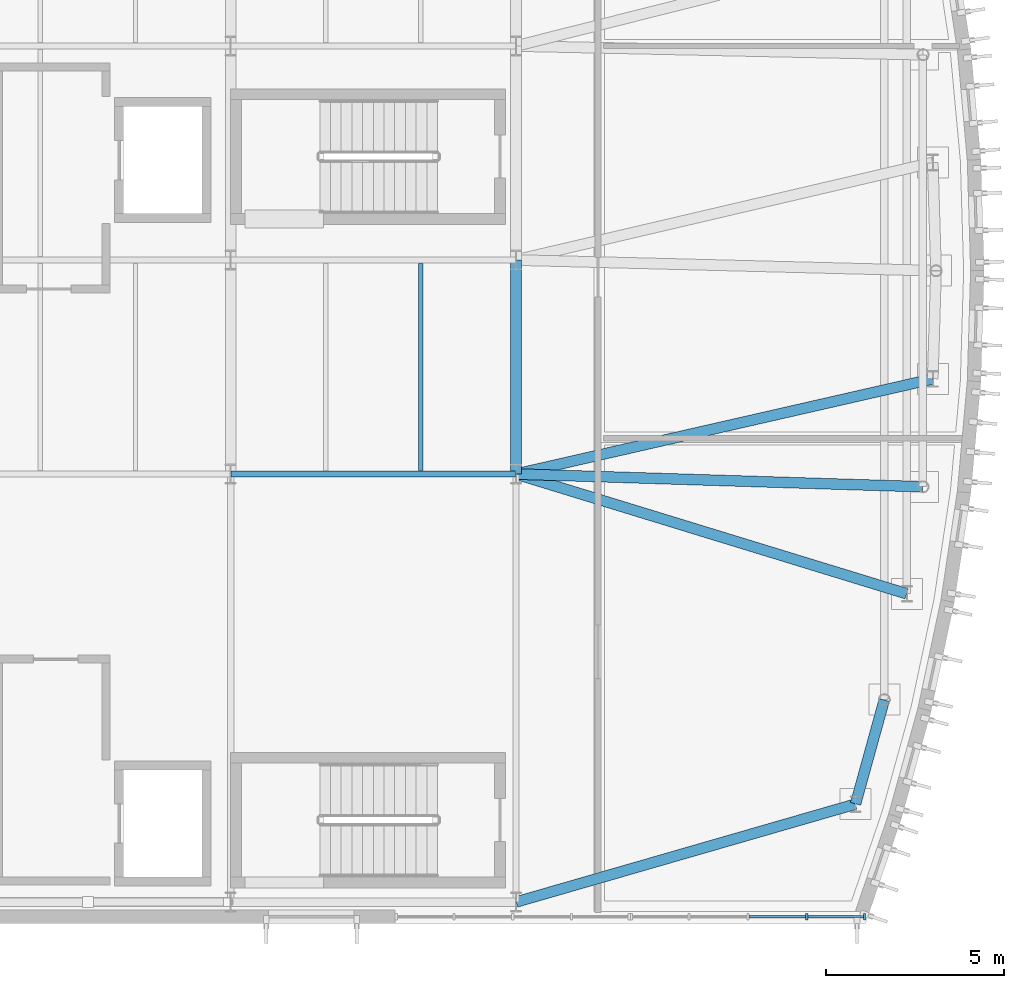
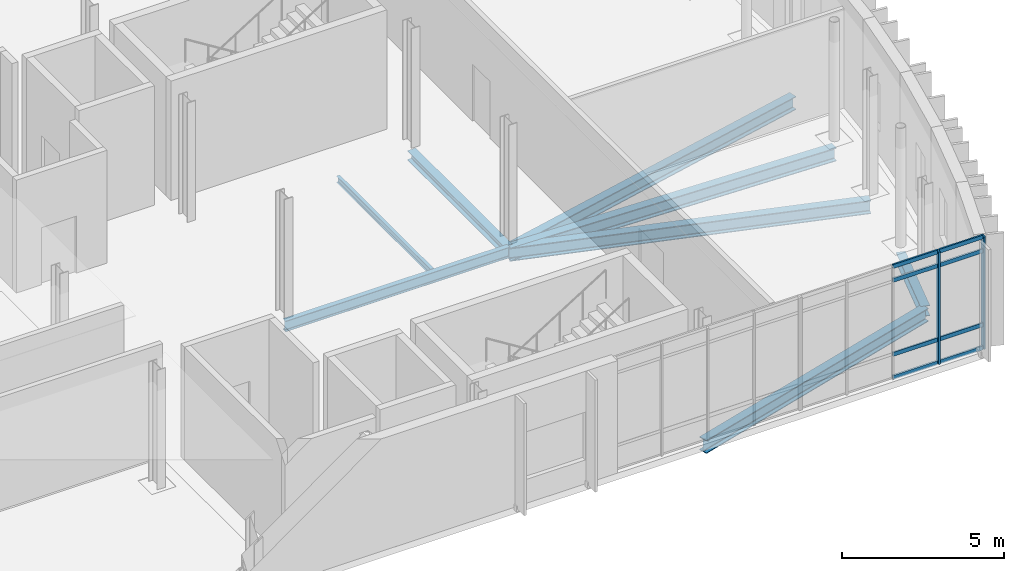
# One storey, part 39 of 86: 10 members, 8 beams, 1 element without a shape of its own.
"""IFC4 building model written with IfcOpenShell, lengths in metres."""

from ifc_helpers import new_model, si_unit, direction, frame, origin, origin_2d, place, context, subcontext, project, spatial, rectangle, i_section, extrude, material, material_profile, profile_set, type_object, element, aggregate, save


model = new_model("IFC4")

# Units and contexts
model_context = context("Model", 3, precision=1e-05, world=origin(), true_north=direction((0.0, 1.0)))
body_context = subcontext(model_context, "Body", "Model", "MODEL_VIEW")
ifc_project = project(units=[si_unit("LENGTHUNIT", "METRE"), si_unit("AREAUNIT", "SQUARE_METRE"), si_unit("VOLUMEUNIT", "CUBIC_METRE"), si_unit("PLANEANGLEUNIT", "RADIAN"), si_unit("MASSUNIT", "GRAM", prefix="KILO")], contexts=[model_context])

# Site, building, storey
site_placement = place(None, origin())
site = spatial("IfcSite", under=ifc_project, at=site_placement, CompositionType="ELEMENT")
building_placement = place(site_placement, origin())
building = spatial("IfcBuilding", under=site, at=building_placement, Name="Cymarion Research Institute", CompositionType="ELEMENT")
storey_placement = place(building_placement, frame((0.0, 0.0, 13.800048828125)))
storey = spatial("IfcBuildingStorey", under=building, at=storey_placement, Name="L03", CompositionType="ELEMENT", Elevation=13.800048828125)

# Curtain wall, members
ifc_material_1 = material(Name="Anodised aluminium unitised curtain wall with Low-E glazing", Category="aluminium")
curtain_wall_type = type_object("IfcCurtainWallType", Name="UNITISED CURTAIN WALL CW26 6590X4240", PredefinedType="NOTDEFINED", material=ifc_material_1)
curtain_wall_placement = place(storey_placement, origin())
curtain_wall = element("IfcCurtainWall", 1, at=curtain_wall_placement, inside=storey, type_object=curtain_wall_type, Name="L03 V1 unitised curtain wall CW26 #125", PredefinedType="NOTDEFINED")
ifc_material_2 = material(Name="Anodised aluminium framing", Category="aluminium")
ifc_material_profile_1 = material_profile(ifc_material_2, rectangle(XDim=0.06005859375, YDim=0.179931640625, at=origin_2d()), Name="ALU MULLION 60x180")
ifc_profile_set_1 = profile_set([ifc_material_profile_1], Name="Anodised aluminium framing")
member_type_1 = type_object("IfcMemberType", Name="CURTAIN WALL MULLION ML01 60X180", PredefinedType="MULLION", material=ifc_profile_set_1)
member_1_placement = place(storey_placement, frame((162.751708984375, 5.090087890625, 0.0), z_axis=(0.0, 0.0, 1.0), x_axis=(1.0, 0.0, 0.0)))
member_1 = element("IfcMember", 2, at=member_1_placement, type_object=member_type_1, Name="CW26 mullion 4", PredefinedType="MULLION", context=body_context, shape_type="SweptSolid", body=[
    extrude(rectangle(XDim=0.06005859375, YDim=0.179931640625, at=origin_2d()), origin(), (0.0, 0.0, 1.0), 4.239990234375),
])
member_2_placement = place(storey_placement, frame((164.3701171875, 5.090087890625, 0.0), z_axis=(0.0, 0.0, 1.0), x_axis=(1.0, 0.0, 0.0)))
member_2 = element("IfcMember", 3, at=member_2_placement, type_object=member_type_1, Name="CW26 mullion 5", PredefinedType="MULLION", context=body_context, shape_type="SweptSolid", body=[
    extrude(rectangle(XDim=0.06005859375, YDim=0.179931640625, at=origin_2d()), origin(), (0.0, 0.0, 1.0), 4.239990234375),
])
ifc_material_profile_2 = material_profile(ifc_material_2, rectangle(XDim=0.06005859375, YDim=0.14990234375, at=origin_2d()), Name="ALU TRANSOM 60x150")
ifc_profile_set_2 = profile_set([ifc_material_profile_2], Name="Anodised aluminium framing")
member_type_2 = type_object("IfcMemberType", Name="CURTAIN WALL TRANSOM TR01 60X150", PredefinedType="USERDEFINED", material=ifc_profile_set_2)
member_3_placement = place(storey_placement, frame((161.133544921875, 5.090087890625, 0.030029296875), z_axis=(1.0, 0.0, 0.0), x_axis=(0.0, 1.0, 0.0)))
member_3 = element("IfcMember", 4, at=member_3_placement, type_object=member_type_2, Name="CW26 transom 3.1", ObjectType="TRANSOM", PredefinedType="USERDEFINED", context=body_context, shape_type="SweptSolid", body=[
    extrude(rectangle(XDim=0.06005859375, YDim=0.14990234375, at=origin_2d()), origin(), (0.0, 0.0, 1.0), 1.588134765625),
])
member_4_placement = place(storey_placement, frame((161.133544921875, 5.090087890625, 0.89990234375), z_axis=(1.0, 0.0, 0.0), x_axis=(0.0, 1.0, 0.0)))
member_4 = element("IfcMember", 5, at=member_4_placement, type_object=member_type_2, Name="CW26 transom 3.2", ObjectType="TRANSOM", PredefinedType="USERDEFINED", context=body_context, shape_type="SweptSolid", body=[
    extrude(rectangle(XDim=0.06005859375, YDim=0.14990234375, at=origin_2d()), origin(), (0.0, 0.0, 1.0), 1.588134765625),
])
member_5_placement = place(storey_placement, frame((161.133544921875, 5.090087890625, 3.68994140625), z_axis=(1.0, 0.0, 0.0), x_axis=(0.0, 1.0, 0.0)))
member_5 = element("IfcMember", 6, at=member_5_placement, type_object=member_type_2, Name="CW26 transom 3.3", ObjectType="TRANSOM", PredefinedType="USERDEFINED", context=body_context, shape_type="SweptSolid", body=[
    extrude(rectangle(XDim=0.06005859375, YDim=0.14990234375, at=origin_2d()), origin(), (0.0, 0.0, 1.0), 1.588134765625),
])
member_6_placement = place(storey_placement, frame((161.133544921875, 5.090087890625, 4.2099609375), z_axis=(1.0, 0.0, 0.0), x_axis=(0.0, 1.0, 0.0)))
member_6 = element("IfcMember", 7, at=member_6_placement, type_object=member_type_2, Name="CW26 transom 3.4", ObjectType="TRANSOM", PredefinedType="USERDEFINED", context=body_context, shape_type="SweptSolid", body=[
    extrude(rectangle(XDim=0.06005859375, YDim=0.14990234375, at=origin_2d()), origin(), (0.0, 0.0, 1.0), 1.588134765625),
])
member_7_placement = place(storey_placement, frame((162.78173828125, 5.090087890625, 0.030029296875), z_axis=(1.0, 0.0, 0.0), x_axis=(0.0, 1.0, 0.0)))
member_7 = element("IfcMember", 8, at=member_7_placement, type_object=member_type_2, Name="CW26 transom 4.1", ObjectType="TRANSOM", PredefinedType="USERDEFINED", context=body_context, shape_type="SweptSolid", body=[
    extrude(rectangle(XDim=0.06005859375, YDim=0.14990234375, at=origin_2d()), origin(), (0.0, 0.0, 1.0), 1.558349609375),
])
member_8_placement = place(storey_placement, frame((162.78173828125, 5.090087890625, 0.89990234375), z_axis=(1.0, 0.0, 0.0), x_axis=(0.0, 1.0, 0.0)))
member_8 = element("IfcMember", 9, at=member_8_placement, type_object=member_type_2, Name="CW26 transom 4.2", ObjectType="TRANSOM", PredefinedType="USERDEFINED", context=body_context, shape_type="SweptSolid", body=[
    extrude(rectangle(XDim=0.06005859375, YDim=0.14990234375, at=origin_2d()), origin(), (0.0, 0.0, 1.0), 1.558349609375),
])
member_9_placement = place(storey_placement, frame((162.78173828125, 5.090087890625, 3.68994140625), z_axis=(1.0, 0.0, 0.0), x_axis=(0.0, 1.0, 0.0)))
member_9 = element("IfcMember", 10, at=member_9_placement, type_object=member_type_2, Name="CW26 transom 4.3", ObjectType="TRANSOM", PredefinedType="USERDEFINED", context=body_context, shape_type="SweptSolid", body=[
    extrude(rectangle(XDim=0.06005859375, YDim=0.14990234375, at=origin_2d()), origin(), (0.0, 0.0, 1.0), 1.558349609375),
])
member_10_placement = place(storey_placement, frame((162.78173828125, 5.090087890625, 4.2099609375), z_axis=(1.0, 0.0, 0.0), x_axis=(0.0, 1.0, 0.0)))
member_10 = element("IfcMember", 11, at=member_10_placement, type_object=member_type_2, Name="CW26 transom 4.4", ObjectType="TRANSOM", PredefinedType="USERDEFINED", context=body_context, shape_type="SweptSolid", body=[
    extrude(rectangle(XDim=0.06005859375, YDim=0.14990234375, at=origin_2d()), origin(), (0.0, 0.0, 1.0), 1.558349609375),
])
aggregate(curtain_wall, [member_1, member_2, member_3, member_4, member_5, member_6, member_7, member_8, member_9, member_10])

# Beams
ifc_material_3 = material(Name="Steel S355", Category="steel")
ifc_material_profile_3 = material_profile(ifc_material_3, i_section(OverallWidth=0.179931640625, OverallDepth=0.39990234375, WebThickness=0.008544921875, FlangeThickness=0.013427734375, FilletRadius=0.02099609375, at=origin_2d()), Name="IPE 400")
ifc_profile_set_3 = profile_set([ifc_material_profile_3], Name="Steel S355")
beam_type_1 = type_object("IfcBeamType", Name="PRIMARY GIRDER BM05 IPE 400", PredefinedType="BEAM", material=ifc_profile_set_3)
beam_1_placement = place(storey_placement, frame((146.60595703125, 17.5, -0.449951171875), z_axis=(1.0, 0.0, 0.0), x_axis=(0.0, 1.0, 0.0)))
element("IfcBeam", 12, at=beam_1_placement, inside=storey, type_object=beam_type_1, Name="L03 V1 girder BM05 #1183", PredefinedType="BEAM", context=body_context, shape_type="SweptSolid", body=[
    extrude(i_section(OverallWidth=0.179931640625, OverallDepth=0.39990234375, WebThickness=0.008544921875, FlangeThickness=0.013427734375, FilletRadius=0.02099609375, at=origin_2d()), origin(), (0.0, 0.0, 1.0), 7.988037109375),
])
ifc_material_profile_4 = material_profile(ifc_material_3, i_section(OverallWidth=0.300048828125, OverallDepth=0.5, WebThickness=0.014404296875, FlangeThickness=0.028076171875, FilletRadius=0.027099609375, at=origin_2d()), Name="HEB 500")
ifc_profile_set_4 = profile_set([ifc_material_profile_4], Name="Steel S355")
beam_type_2 = type_object("IfcBeamType", Name="PRIMARY GIRDER BM09 HEB 500", PredefinedType="BEAM", material=ifc_profile_set_4)
beam_2_placement = place(storey_placement, frame((154.607666015625, 5.502197265625, -0.5), z_axis=(0.960790340878, 0.277275893067, 0.0), x_axis=(-0.277275893067, 0.960790340878, 0.0)))
element("IfcBeam", 13, at=beam_2_placement, inside=storey, type_object=beam_type_2, Name="L03 V1 radial prow girder BM09 #1231", PredefinedType="BEAM", context=body_context, shape_type="SweptSolid", body=[
    extrude(i_section(OverallWidth=0.300048828125, OverallDepth=0.5, WebThickness=0.014404296875, FlangeThickness=0.028076171875, FilletRadius=0.027099609375, at=origin_2d()), origin(), (0.0, 0.0, 1.0), 9.8916015625),
])
beam_3_placement = place(storey_placement, frame((154.607666015625, 17.497802734375, -0.5), z_axis=(0.956111343016, -0.29300358318, 0.0), x_axis=(0.29300358318, 0.956111343016, 0.0)))
element("IfcBeam", 14, at=beam_3_placement, inside=storey, type_object=beam_type_2, Name="L03 V1 radial prow girder BM09 #1232", PredefinedType="BEAM", context=body_context, shape_type="SweptSolid", body=[
    extrude(i_section(OverallWidth=0.300048828125, OverallDepth=0.5, WebThickness=0.014404296875, FlangeThickness=0.028076171875, FilletRadius=0.027099609375, at=origin_2d()), origin(), (0.0, 0.0, 1.0), 11.447021484375),
])
beam_4_placement = place(storey_placement, frame((154.60791015625, 17.499755859375, -0.5), z_axis=(0.999510612774, -0.03128154332, 0.0), x_axis=(0.03128154332, 0.999510612774, 0.0)))
element("IfcBeam", 15, at=beam_4_placement, inside=storey, type_object=beam_type_2, Name="L03 V1 radial prow girder BM09 #1233", PredefinedType="BEAM", context=body_context, shape_type="SweptSolid", body=[
    extrude(i_section(OverallWidth=0.300048828125, OverallDepth=0.5, WebThickness=0.014404296875, FlangeThickness=0.028076171875, FilletRadius=0.027099609375, at=origin_2d()), origin(), (0.0, 0.0, 1.0), 11.402587890625),
])
beam_5_placement = place(storey_placement, frame((154.60791015625, 17.501708984375, -0.5), z_axis=(0.974944767555, 0.222447072846, 0.0), x_axis=(-0.222447072846, 0.974944767555, 0.0)))
element("IfcBeam", 16, at=beam_5_placement, inside=storey, type_object=beam_type_2, Name="L03 V1 radial prow girder BM09 #1234", PredefinedType="BEAM", context=body_context, shape_type="SweptSolid", body=[
    extrude(i_section(OverallWidth=0.300048828125, OverallDepth=0.5, WebThickness=0.014404296875, FlangeThickness=0.028076171875, FilletRadius=0.027099609375, at=origin_2d()), origin(), (0.0, 0.0, 1.0), 11.969482421875),
])
ifc_material_profile_5 = material_profile(ifc_material_3, i_section(OverallWidth=0.300048828125, OverallDepth=0.39990234375, WebThickness=0.013427734375, FlangeThickness=0.02392578125, FilletRadius=0.027099609375, at=origin_2d()), Name="HEB 400")
ifc_profile_set_5 = profile_set([ifc_material_profile_5], Name="Steel S355")
beam_type_3 = type_object("IfcBeamType", Name="PRIMARY GIRDER BM11 HEB 400", PredefinedType="BEAM", material=ifc_profile_set_5)
beam_6_placement = place(storey_placement, frame((164.12109375, 8.254638671875, -0.449951171875), z_axis=(0.266488575035, 0.963838077364, 0.0), x_axis=(-0.963838077364, 0.266488575035, 0.0)))
element("IfcBeam", 17, at=beam_6_placement, inside=storey, type_object=beam_type_3, Name="L03 V1 prow ring girder BM11 #1227", PredefinedType="BEAM", context=body_context, shape_type="SweptSolid", body=[
    extrude(i_section(OverallWidth=0.300048828125, OverallDepth=0.39990234375, WebThickness=0.013427734375, FlangeThickness=0.02392578125, FilletRadius=0.027099609375, at=origin_2d()), origin(), (0.0, 0.0, 1.0), 3.01953125),
])
ifc_material_profile_6 = material_profile(ifc_material_3, i_section(OverallWidth=0.300048828125, OverallDepth=0.35009765625, WebThickness=0.010009765625, FlangeThickness=0.017578125, FilletRadius=0.027099609375, at=origin_2d()), Name="HEA 360")
ifc_profile_set_6 = profile_set([ifc_material_profile_6], Name="Steel S355")
beam_type_4 = type_object("IfcBeamType", Name="PRIMARY GIRDER BM12 HEA 360", PredefinedType="BEAM", material=ifc_profile_set_6)
beam_7_placement = place(storey_placement, frame((154.60009765625, 17.506103515625, -0.425048828125), z_axis=(0.0, 1.0, 0.0), x_axis=(-1.0, 0.0, 0.0)))
element("IfcBeam", 18, at=beam_7_placement, inside=storey, type_object=beam_type_4, Name="L03 V1 girder BM12 #1220", PredefinedType="BEAM", context=body_context, shape_type="SweptSolid", body=[
    extrude(i_section(OverallWidth=0.300048828125, OverallDepth=0.35009765625, WebThickness=0.010009765625, FlangeThickness=0.017578125, FilletRadius=0.027099609375, at=origin_2d()), origin(), (0.0, 0.0, 1.0), 5.98779296875),
])
ifc_material_profile_7 = material_profile(ifc_material_3, i_section(OverallWidth=0.1201171875, OverallDepth=0.239990234375, WebThickness=0.006103515625, FlangeThickness=0.009765625, FilletRadius=0.014892578125, at=origin_2d()), Name="IPE 240")
ifc_profile_set_7 = profile_set([ifc_material_profile_7], Name="Steel S355")
beam_type_5 = type_object("IfcBeamType", Name="SECONDARY JOIST JS04 IPE 240", PredefinedType="JOIST", material=ifc_profile_set_7)
beam_8_placement = place(storey_placement, frame((151.933349609375, 17.593994140625, -0.3701171875), z_axis=(0.0, 1.0, 0.0), x_axis=(-1.0, 0.0, 0.0)))
element("IfcBeam", 19, at=beam_8_placement, inside=storey, type_object=beam_type_5, Name="L03 V1 secondary joist JS04 #1268", PredefinedType="JOIST", context=body_context, shape_type="SweptSolid", body=[
    extrude(i_section(OverallWidth=0.1201171875, OverallDepth=0.239990234375, WebThickness=0.006103515625, FlangeThickness=0.009765625, FilletRadius=0.014892578125, at=origin_2d()), origin(), (0.0, 0.0, 1.0), 5.81201171875),
])

save(model, "model.ifc")
